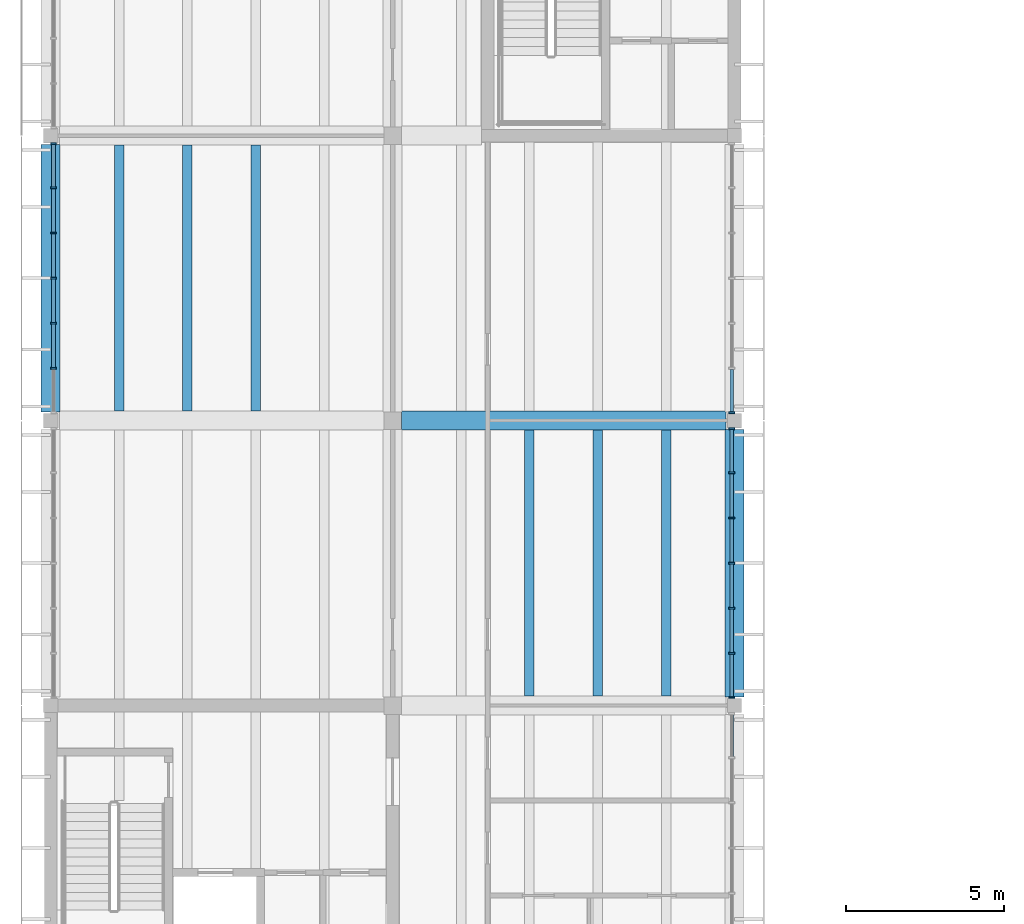
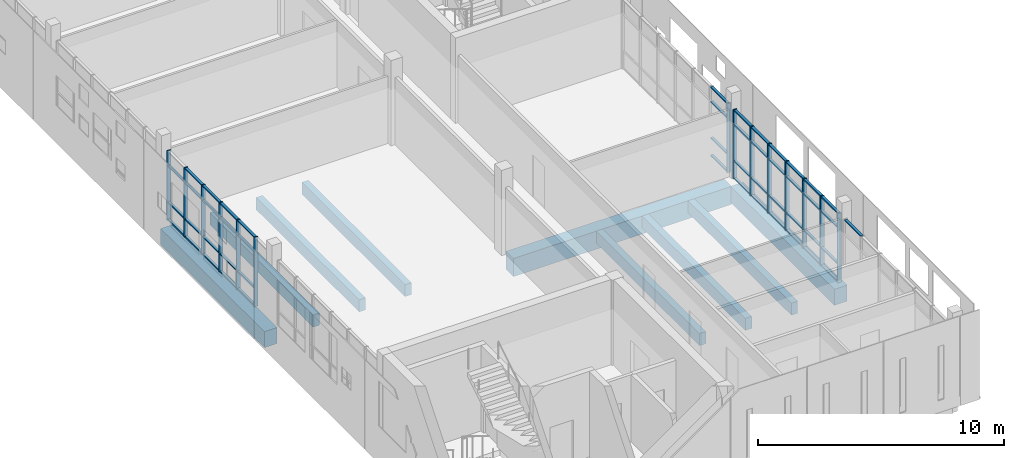
# One storey, part 10 of 50: 62 members, 9 beams, 4 elements without a shape of their own.
"""IFC4 building model written with IfcOpenShell, lengths in metres."""

import ifcopenshell
import ifcopenshell.guid

model = None  # the IFC model being written
_history = None  # IfcOwnerHistory: only IFC2X3 demands one
_inside = {}  # id of a spatial element -> (the spatial element, [elements in it])
_under = {}  # id of a project, library or spatial element -> (it, [spatial elements below it])
_declared = {}  # id of a project -> (the project, [libraries it declares])
_typed = {}  # id of a type object -> (the type object, [elements of that type])
_made_of = {}  # id of a material, layer set ... -> (it, [elements and type objects made of it])


def new_model(schema):
    """Start an empty IFC model of exactly this schema.

    Asked for "IFC4X3", IfcOpenShell would pick the latest addendum, in which some entities
    have other attributes; the version numbers below select the first issue.
    IFC2X3 requires an IfcOwnerHistory on every rooted entity: one is made here for all.
    """
    global model, _history
    if schema == "IFC4X3":
        model = ifcopenshell.file(schema_version=(4, 3, 0, 0))
    else:
        model = ifcopenshell.file(schema=schema)
    _inside.clear()
    _under.clear()
    _declared.clear()
    _typed.clear()
    _made_of.clear()
    _history = None
    if model.schema == "IFC2X3":
        org = make("IfcOrganization", Name="unknown")
        user = make(
            "IfcPersonAndOrganization",
            ThePerson=make("IfcPerson", FamilyName="unknown"),
            TheOrganization=org,
        )
        app = make(
            "IfcApplication",
            ApplicationDeveloper=org,
            Version="unknown",
            ApplicationFullName="unknown",
            ApplicationIdentifier="unknown",
        )
        _history = make(
            "IfcOwnerHistory",
            OwningUser=user,
            OwningApplication=app,
            ChangeAction="ADDED",
            CreationDate=0,
        )
    return model


def make(cls, **values):
    """One entity of the class cls with the attributes given. An attribute that is None is left unset."""
    return model.create_entity(
        cls, **{name: value for name, value in values.items() if value is not None}
    )


def rooted(cls, **values):
    """An entity with a GlobalId (a new one), such as an element, a storey or a relation."""
    return make(cls, GlobalId=ifcopenshell.guid.new(), OwnerHistory=_history, **values)


def si_unit(unit_type, name, prefix=None):
    """IfcSIUnit, for example si_unit("LENGTHUNIT", "METRE", prefix="MILLI")."""
    return make("IfcSIUnit", UnitType=unit_type, Prefix=prefix, Name=name)


def assignment(units):
    """IfcUnitAssignment: the units of a project."""
    return None if units is None else make("IfcUnitAssignment", Units=units)


def point(xyz):
    """IfcCartesianPoint."""
    return None if xyz is None else make("IfcCartesianPoint", Coordinates=xyz)


def direction(xyz):
    """IfcDirection."""
    return None if xyz is None else make("IfcDirection", DirectionRatios=xyz)


def frame(location, z_axis=None, x_axis=None):
    """IfcAxis2Placement3D, a coordinate frame: its origin and axes. An axis left out is left unset."""
    return make(
        "IfcAxis2Placement3D",
        Location=point(location),
        Axis=direction(z_axis),
        RefDirection=direction(x_axis),
    )


def frame_2d(location, x_axis=None):
    """IfcAxis2Placement2D, a coordinate frame in the plane: its origin and x axis."""
    return make(
        "IfcAxis2Placement2D", Location=point(location), RefDirection=direction(x_axis)
    )


def origin():
    """The frame at (0, 0, 0) with its axes left unset."""
    return frame((0.0, 0.0, 0.0))


def origin_2d():
    """The frame at (0, 0) in the plane with its x axis left unset."""
    return frame_2d((0.0, 0.0))


def place(relative_to, where):
    """IfcLocalPlacement: puts the frame where relative to a parent placement (None: the world)."""
    return make(
        "IfcLocalPlacement", PlacementRelTo=relative_to, RelativePlacement=where
    )


def context(
    kind, dimensions, precision=None, world=None, true_north=None, identifier=None
):
    """IfcGeometricRepresentationContext, for example the 3D "Model" context."""
    return make(
        "IfcGeometricRepresentationContext",
        ContextIdentifier=identifier,
        ContextType=kind,
        CoordinateSpaceDimension=dimensions,
        Precision=precision,
        WorldCoordinateSystem=world,
        TrueNorth=true_north,
    )


def subcontext(parent, identifier, kind, view, scale=None):
    """IfcGeometricRepresentationSubContext, for example "Body" below "Model"."""
    return make(
        "IfcGeometricRepresentationSubContext",
        ContextIdentifier=identifier,
        ContextType=kind,
        ParentContext=parent,
        TargetScale=scale,
        TargetView=view,
    )


def project(units=None, contexts=None):
    """IfcProject with its units and contexts."""
    return rooted(
        "IfcProject",
        Name="project",
        RepresentationContexts=contexts,
        UnitsInContext=assignment(units),
    )


def spatial(cls, under=None, at=None, **own):
    """A site, building, storey or space (cls), placed at a placement, below another one or the project."""
    s = rooted(cls, ObjectPlacement=at, **own)
    if under is not None:
        _under.setdefault(under.id(), (under, []))[1].append(s)
    return s


def profile(cls, at=None, kind="AREA", **sizes):
    """A parametric profile (cls). Its sizes go by their IFC names, for example OverallWidth=200.0."""
    return make(cls, ProfileType=kind, Position=at, **sizes)


def rectangle(**sizes):
    """IfcRectangleProfileDef."""
    return profile("IfcRectangleProfileDef", **sizes)


def extrude(swept, where, along, depth):
    """IfcExtrudedAreaSolid: the profile swept, set in the frame where, extruded along a direction by depth."""
    return make(
        "IfcExtrudedAreaSolid",
        SweptArea=swept,
        Position=where,
        ExtrudedDirection=direction(along),
        Depth=depth,
    )


def shape(context_of_items, identifier, shape_type, items):
    """IfcShapeRepresentation: the items that make up one representation, for example the "Body"."""
    return make(
        "IfcShapeRepresentation",
        ContextOfItems=context_of_items,
        RepresentationIdentifier=identifier,
        RepresentationType=shape_type,
        Items=items,
    )


def material(Name=None, Category=None):
    """IfcMaterial."""
    return make("IfcMaterial", Name=Name, Category=Category)


def material_profile(
    of_material, cross_section, Name=None, Category=None, Priority=None
):
    """IfcMaterialProfile: a cross section and its material."""
    return make(
        "IfcMaterialProfile",
        Name=Name,
        Material=of_material,
        Profile=cross_section,
        Priority=Priority,
        Category=Category,
    )


def profile_set(profiles, Name=None, composite=None):
    """IfcMaterialProfileSet."""
    return make(
        "IfcMaterialProfileSet",
        Name=Name,
        MaterialProfiles=profiles,
        CompositeProfile=composite,
    )


def made_of(thing, what):
    """Note that an element or type object is made of a material, layer set ...; save() writes the relation."""
    if what is not None:
        _made_of.setdefault(what.id(), (what, []))[1].append(thing)
    return thing


def type_object(cls, material=None, **own):
    """A type object (cls), such as IfcWallType, which elements share."""
    return made_of(rooted(cls, **own), material)


def element(
    cls,
    number,
    at=None,
    inside=None,
    cuts=None,
    type_object=None,
    material=None,
    context=None,
    identifier="Body",
    shape_type=None,
    held_by="IfcProductDefinitionShape",
    body=None,
    shapes=None,
    **own,
):
    """One element of the class cls, such as IfcWall. Its Tag is "e" and its number.

    at: its placement. inside: the storey or other place that contains it. cuts: it is an
    opening in that element (IfcRelVoidsElement). A single representation is given by context,
    identifier, shape_type and body (its items); several are given by shapes. held_by: the class
    of the entity that holds the representations. save() writes the other relations.
    """
    e = rooted(cls, Tag="e%d" % number, ObjectPlacement=at, **own)
    if body is not None:
        shapes = [shape(context, identifier, shape_type, body)]
    if shapes is not None:
        e.Representation = make(held_by, Representations=shapes)
    if inside is not None:
        _inside.setdefault(inside.id(), (inside, []))[1].append(e)
    if cuts is not None:
        rooted(
            "IfcRelVoidsElement", RelatingBuildingElement=cuts, RelatedOpeningElement=e
        )
    if type_object is not None:
        _typed.setdefault(type_object.id(), (type_object, []))[1].append(e)
    return made_of(e, material)


def aggregate(whole, parts):
    """IfcRelAggregates: a whole, such as a stair, and the parts it consists of."""
    return rooted("IfcRelAggregates", RelatingObject=whole, RelatedObjects=parts)


def save(model, path):
    """Write the relations noted so far, then the file.

    IfcRelAggregates (storeys below a building ...), IfcRelContainedInSpatialStructure (elements
    in a storey), IfcRelDefinesByType, IfcRelAssociatesMaterial and IfcRelDeclares: one each for
    every whole, place, type object, material and project.
    """
    for whole, parts in _under.values():
        aggregate(whole, parts)
    for where, things in _inside.values():
        rooted(
            "IfcRelContainedInSpatialStructure",
            RelatedElements=things,
            RelatingStructure=where,
        )
    for kind, things in _typed.values():
        rooted("IfcRelDefinesByType", RelatedObjects=things, RelatingType=kind)
    for what, things in _made_of.values():
        rooted("IfcRelAssociatesMaterial", RelatedObjects=things, RelatingMaterial=what)
    for by, libraries in _declared.values():
        rooted("IfcRelDeclares", RelatingContext=by, RelatedDefinitions=libraries)
    model.write(path)


model = new_model("IFC4")

# Units and contexts
model_context = context("Model", 3, precision=1e-05, world=origin(), true_north=direction((0.0, 1.0)))
body_context = subcontext(model_context, "Body", "Model", "MODEL_VIEW")
ifc_project = project(units=[si_unit("LENGTHUNIT", "METRE"), si_unit("AREAUNIT", "SQUARE_METRE"), si_unit("VOLUMEUNIT", "CUBIC_METRE"), si_unit("PLANEANGLEUNIT", "RADIAN"), si_unit("MASSUNIT", "GRAM", prefix="KILO")], contexts=[model_context])

# Site, building, storey
site_placement = place(None, origin())
site = spatial("IfcSite", under=ifc_project, at=site_placement, CompositionType="ELEMENT")
building_placement = place(site_placement, origin())
building = spatial("IfcBuilding", under=site, at=building_placement, Name="Merrow Basin Faculty of Sciences", CompositionType="ELEMENT")
storey_placement = place(building_placement, frame((0.0, 0.0, 18.0)))
storey = spatial("IfcBuildingStorey", under=building, at=storey_placement, Name="L04", CompositionType="ELEMENT", Elevation=18.0)

# Curtain wall, members
ifc_material_1 = material(Name="Aluminium alloy 6063", Category="aluminium")
curtain_wall_type = type_object("IfcCurtainWallType", Name="Bar unitised curtain wall 180", PredefinedType="NOTDEFINED", material=ifc_material_1)
curtain_wall_1_placement = place(storey_placement, origin())
curtain_wall_1 = element("IfcCurtainWall", 1, at=curtain_wall_1_placement, inside=storey, type_object=curtain_wall_type, Name="West curtain wall L04 2", PredefinedType="NOTDEFINED")
ifc_material_2 = material(Name="Aluminium alloy 6063", Category="aluminium")
ifc_material_profile_1 = material_profile(ifc_material_2, rectangle(XDim=0.179931640625, YDim=0.06005859375, at=origin_2d()))
ifc_profile_set_1 = profile_set([ifc_material_profile_1], Name="Aluminium alloy 6063")
member_type_1 = type_object("IfcMemberType", Name="Aluminium mullion 60x180", PredefinedType="MULLION", material=ifc_profile_set_1)
member_1_placement = place(storey_placement, frame((0.090087890625, 80.64990234375, 0.0), z_axis=(0.0, 0.0, 1.0), x_axis=(-1.0, 0.0, 0.0)))
member_1 = element("IfcMember", 2, at=member_1_placement, type_object=member_type_1, Name="CW1 mullion 2", PredefinedType="MULLION", context=body_context, shape_type="SweptSolid", body=[
    extrude(rectangle(XDim=0.179931640625, YDim=0.06005859375, at=origin_2d()), origin(), (0.0, 0.0, 1.0), 3.449951171875),
])
member_2_placement = place(storey_placement, frame((0.090087890625, 82.074951171875, 0.0), z_axis=(0.0, 0.0, 1.0), x_axis=(-1.0, 0.0, 0.0)))
member_2 = element("IfcMember", 3, at=member_2_placement, type_object=member_type_1, Name="CW1 mullion 3", PredefinedType="MULLION", context=body_context, shape_type="SweptSolid", body=[
    extrude(rectangle(XDim=0.179931640625, YDim=0.06005859375, at=origin_2d()), origin(), (0.0, 0.0, 1.0), 3.449951171875),
])
member_3_placement = place(storey_placement, frame((0.090087890625, 83.5, 0.0), z_axis=(0.0, 0.0, 1.0), x_axis=(-1.0, 0.0, 0.0)))
member_3 = element("IfcMember", 4, at=member_3_placement, type_object=member_type_1, Name="CW1 mullion 4", PredefinedType="MULLION", context=body_context, shape_type="SweptSolid", body=[
    extrude(rectangle(XDim=0.179931640625, YDim=0.06005859375, at=origin_2d()), origin(), (0.0, 0.0, 1.0), 3.449951171875),
])
member_4_placement = place(storey_placement, frame((0.090087890625, 84.925048828125, 0.0), z_axis=(0.0, 0.0, 1.0), x_axis=(-1.0, 0.0, 0.0)))
member_4 = element("IfcMember", 5, at=member_4_placement, type_object=member_type_1, Name="CW1 mullion 5", PredefinedType="MULLION", context=body_context, shape_type="SweptSolid", body=[
    extrude(rectangle(XDim=0.179931640625, YDim=0.06005859375, at=origin_2d()), origin(), (0.0, 0.0, 1.0), 3.449951171875),
])
member_5_placement = place(storey_placement, frame((0.090087890625, 86.35009765625, 0.0), z_axis=(0.0, 0.0, 1.0), x_axis=(-1.0, 0.0, 0.0)))
member_5 = element("IfcMember", 6, at=member_5_placement, type_object=member_type_1, Name="CW1 mullion 6", PredefinedType="MULLION", context=body_context, shape_type="SweptSolid", body=[
    extrude(rectangle(XDim=0.179931640625, YDim=0.06005859375, at=origin_2d()), origin(), (0.0, 0.0, 1.0), 3.449951171875),
])
member_6_placement = place(storey_placement, frame((0.090087890625, 87.7451171875, 0.0), z_axis=(0.0, 0.0, 1.0), x_axis=(-1.0, 0.0, 0.0)))
member_6 = element("IfcMember", 7, at=member_6_placement, type_object=member_type_1, Name="CW1 mullion 7", PredefinedType="MULLION", context=body_context, shape_type="SweptSolid", body=[
    extrude(rectangle(XDim=0.179931640625, YDim=0.06005859375, at=origin_2d()), origin(), (0.0, 0.0, 1.0), 3.449951171875),
])

curtain_wall_2_placement = place(storey_placement, origin())
curtain_wall_2 = element("IfcCurtainWall", 8, at=curtain_wall_2_placement, inside=storey, type_object=curtain_wall_type, Name="East curtain wall L04 2", PredefinedType="NOTDEFINED")
member_7_placement = place(storey_placement, frame((21.510009765625, 70.2548828125, 0.0), z_axis=(0.0, 0.0, 1.0), x_axis=(-1.0, 0.0, 0.0)))
member_7 = element("IfcMember", 9, at=member_7_placement, type_object=member_type_1, Name="CW1 mullion 1", PredefinedType="MULLION", context=body_context, shape_type="SweptSolid", body=[
    extrude(rectangle(XDim=0.179931640625, YDim=0.06005859375, at=origin_2d()), origin(), (0.0, 0.0, 1.0), 3.449951171875),
])
member_8_placement = place(storey_placement, frame((21.510009765625, 71.64990234375, 0.0), z_axis=(0.0, 0.0, 1.0), x_axis=(-1.0, 0.0, 0.0)))
member_8 = element("IfcMember", 10, at=member_8_placement, type_object=member_type_1, Name="CW1 mullion 2", PredefinedType="MULLION", context=body_context, shape_type="SweptSolid", body=[
    extrude(rectangle(XDim=0.179931640625, YDim=0.06005859375, at=origin_2d()), origin(), (0.0, 0.0, 1.0), 3.449951171875),
])
member_9_placement = place(storey_placement, frame((21.510009765625, 73.074951171875, 0.0), z_axis=(0.0, 0.0, 1.0), x_axis=(-1.0, 0.0, 0.0)))
member_9 = element("IfcMember", 11, at=member_9_placement, type_object=member_type_1, Name="CW1 mullion 3", PredefinedType="MULLION", context=body_context, shape_type="SweptSolid", body=[
    extrude(rectangle(XDim=0.179931640625, YDim=0.06005859375, at=origin_2d()), origin(), (0.0, 0.0, 1.0), 3.449951171875),
])
member_10_placement = place(storey_placement, frame((21.510009765625, 74.5, 0.0), z_axis=(0.0, 0.0, 1.0), x_axis=(-1.0, 0.0, 0.0)))
member_10 = element("IfcMember", 12, at=member_10_placement, type_object=member_type_1, Name="CW1 mullion 4", PredefinedType="MULLION", context=body_context, shape_type="SweptSolid", body=[
    extrude(rectangle(XDim=0.179931640625, YDim=0.06005859375, at=origin_2d()), origin(), (0.0, 0.0, 1.0), 3.449951171875),
])
member_11_placement = place(storey_placement, frame((21.510009765625, 75.925048828125, 0.0), z_axis=(0.0, 0.0, 1.0), x_axis=(-1.0, 0.0, 0.0)))
member_11 = element("IfcMember", 13, at=member_11_placement, type_object=member_type_1, Name="CW1 mullion 5", PredefinedType="MULLION", context=body_context, shape_type="SweptSolid", body=[
    extrude(rectangle(XDim=0.179931640625, YDim=0.06005859375, at=origin_2d()), origin(), (0.0, 0.0, 1.0), 3.449951171875),
])
member_12_placement = place(storey_placement, frame((21.510009765625, 77.35009765625, 0.0), z_axis=(0.0, 0.0, 1.0), x_axis=(-1.0, 0.0, 0.0)))
member_12 = element("IfcMember", 14, at=member_12_placement, type_object=member_type_1, Name="CW1 mullion 6", PredefinedType="MULLION", context=body_context, shape_type="SweptSolid", body=[
    extrude(rectangle(XDim=0.179931640625, YDim=0.06005859375, at=origin_2d()), origin(), (0.0, 0.0, 1.0), 3.449951171875),
])
member_13_placement = place(storey_placement, frame((21.510009765625, 78.7451171875, 0.0), z_axis=(0.0, 0.0, 1.0), x_axis=(-1.0, 0.0, 0.0)))
member_13 = element("IfcMember", 15, at=member_13_placement, type_object=member_type_1, Name="CW1 mullion 7", PredefinedType="MULLION", context=body_context, shape_type="SweptSolid", body=[
    extrude(rectangle(XDim=0.179931640625, YDim=0.06005859375, at=origin_2d()), origin(), (0.0, 0.0, 1.0), 3.449951171875),
])

# Curtain wall, member
curtain_wall_3_placement = place(storey_placement, origin())
curtain_wall_3 = element("IfcCurtainWall", 16, at=curtain_wall_3_placement, inside=storey, type_object=curtain_wall_type, Name="East curtain wall L04 3", PredefinedType="NOTDEFINED")
member_14_placement = place(storey_placement, frame((21.510009765625, 79.2548828125, 0.0), z_axis=(0.0, 0.0, 1.0), x_axis=(-1.0, 0.0, 0.0)))
member_14 = element("IfcMember", 17, at=member_14_placement, type_object=member_type_1, Name="CW1 mullion 1", PredefinedType="MULLION", context=body_context, shape_type="SweptSolid", body=[
    extrude(rectangle(XDim=0.179931640625, YDim=0.06005859375, at=origin_2d()), origin(), (0.0, 0.0, 1.0), 3.449951171875),
])

# Member
ifc_material_3 = material(Name="Aluminium alloy 6063", Category="aluminium")
ifc_material_profile_2 = material_profile(ifc_material_3, rectangle(XDim=0.1201171875, YDim=0.06005859375, at=origin_2d()))
ifc_profile_set_2 = profile_set([ifc_material_profile_2], Name="Aluminium alloy 6063")
member_type_2 = type_object("IfcMemberType", Name="Aluminium transom 60x120", PredefinedType="USERDEFINED", material=ifc_profile_set_2)
member_15_placement = place(storey_placement, frame((0.090087890625, 80.679931640625, 0.030029296875), z_axis=(0.0, 1.0, 0.0), x_axis=(-1.0, 0.0, 0.0)))
member_15 = element("IfcMember", 18, at=member_15_placement, type_object=member_type_2, Name="CW1 transom 2.1", ObjectType="TRANSOM", PredefinedType="USERDEFINED", context=body_context, shape_type="SweptSolid", body=[
    extrude(rectangle(XDim=0.1201171875, YDim=0.06005859375, at=origin_2d()), origin(), (0.0, 0.0, 1.0), 1.364990234375),
])

member_16_placement = place(storey_placement, frame((0.090087890625, 80.679931640625, 0.89990234375), z_axis=(0.0, 1.0, 0.0), x_axis=(-1.0, 0.0, 0.0)))
member_16 = element("IfcMember", 19, at=member_16_placement, type_object=member_type_2, Name="CW1 transom 2.2", ObjectType="TRANSOM", PredefinedType="USERDEFINED", context=body_context, shape_type="SweptSolid", body=[
    extrude(rectangle(XDim=0.1201171875, YDim=0.06005859375, at=origin_2d()), origin(), (0.0, 0.0, 1.0), 1.364990234375),
])

member_17_placement = place(storey_placement, frame((0.090087890625, 80.679931640625, 2.699951171875), z_axis=(0.0, 1.0, 0.0), x_axis=(-1.0, 0.0, 0.0)))
member_17 = element("IfcMember", 20, at=member_17_placement, type_object=member_type_2, Name="CW1 transom 2.3", ObjectType="TRANSOM", PredefinedType="USERDEFINED", context=body_context, shape_type="SweptSolid", body=[
    extrude(rectangle(XDim=0.1201171875, YDim=0.06005859375, at=origin_2d()), origin(), (0.0, 0.0, 1.0), 1.364990234375),
])

member_18_placement = place(storey_placement, frame((0.090087890625, 80.679931640625, 3.419921875), z_axis=(0.0, 1.0, 0.0), x_axis=(-1.0, 0.0, 0.0)))
member_18 = element("IfcMember", 21, at=member_18_placement, type_object=member_type_2, Name="CW1 transom 2.4", ObjectType="TRANSOM", PredefinedType="USERDEFINED", context=body_context, shape_type="SweptSolid", body=[
    extrude(rectangle(XDim=0.1201171875, YDim=0.06005859375, at=origin_2d()), origin(), (0.0, 0.0, 1.0), 1.364990234375),
])

member_19_placement = place(storey_placement, frame((0.090087890625, 82.10498046875, 0.030029296875), z_axis=(0.0, 1.0, 0.0), x_axis=(-1.0, 0.0, 0.0)))
member_19 = element("IfcMember", 22, at=member_19_placement, type_object=member_type_2, Name="CW1 transom 3.1", ObjectType="TRANSOM", PredefinedType="USERDEFINED", context=body_context, shape_type="SweptSolid", body=[
    extrude(rectangle(XDim=0.1201171875, YDim=0.06005859375, at=origin_2d()), origin(), (0.0, 0.0, 1.0), 1.364990234375),
])

member_20_placement = place(storey_placement, frame((0.090087890625, 82.10498046875, 0.89990234375), z_axis=(0.0, 1.0, 0.0), x_axis=(-1.0, 0.0, 0.0)))
member_20 = element("IfcMember", 23, at=member_20_placement, type_object=member_type_2, Name="CW1 transom 3.2", ObjectType="TRANSOM", PredefinedType="USERDEFINED", context=body_context, shape_type="SweptSolid", body=[
    extrude(rectangle(XDim=0.1201171875, YDim=0.06005859375, at=origin_2d()), origin(), (0.0, 0.0, 1.0), 1.364990234375),
])

member_21_placement = place(storey_placement, frame((0.090087890625, 82.10498046875, 2.699951171875), z_axis=(0.0, 1.0, 0.0), x_axis=(-1.0, 0.0, 0.0)))
member_21 = element("IfcMember", 24, at=member_21_placement, type_object=member_type_2, Name="CW1 transom 3.3", ObjectType="TRANSOM", PredefinedType="USERDEFINED", context=body_context, shape_type="SweptSolid", body=[
    extrude(rectangle(XDim=0.1201171875, YDim=0.06005859375, at=origin_2d()), origin(), (0.0, 0.0, 1.0), 1.364990234375),
])

member_22_placement = place(storey_placement, frame((0.090087890625, 82.10498046875, 3.419921875), z_axis=(0.0, 1.0, 0.0), x_axis=(-1.0, 0.0, 0.0)))
member_22 = element("IfcMember", 25, at=member_22_placement, type_object=member_type_2, Name="CW1 transom 3.4", ObjectType="TRANSOM", PredefinedType="USERDEFINED", context=body_context, shape_type="SweptSolid", body=[
    extrude(rectangle(XDim=0.1201171875, YDim=0.06005859375, at=origin_2d()), origin(), (0.0, 0.0, 1.0), 1.364990234375),
])

member_23_placement = place(storey_placement, frame((0.090087890625, 83.530029296875, 0.030029296875), z_axis=(0.0, 1.0, 0.0), x_axis=(-1.0, 0.0, 0.0)))
member_23 = element("IfcMember", 26, at=member_23_placement, type_object=member_type_2, Name="CW1 transom 4.1", ObjectType="TRANSOM", PredefinedType="USERDEFINED", context=body_context, shape_type="SweptSolid", body=[
    extrude(rectangle(XDim=0.1201171875, YDim=0.06005859375, at=origin_2d()), origin(), (0.0, 0.0, 1.0), 1.364990234375),
])

member_24_placement = place(storey_placement, frame((0.090087890625, 83.530029296875, 0.89990234375), z_axis=(0.0, 1.0, 0.0), x_axis=(-1.0, 0.0, 0.0)))
member_24 = element("IfcMember", 27, at=member_24_placement, type_object=member_type_2, Name="CW1 transom 4.2", ObjectType="TRANSOM", PredefinedType="USERDEFINED", context=body_context, shape_type="SweptSolid", body=[
    extrude(rectangle(XDim=0.1201171875, YDim=0.06005859375, at=origin_2d()), origin(), (0.0, 0.0, 1.0), 1.364990234375),
])

member_25_placement = place(storey_placement, frame((0.090087890625, 83.530029296875, 2.699951171875), z_axis=(0.0, 1.0, 0.0), x_axis=(-1.0, 0.0, 0.0)))
member_25 = element("IfcMember", 28, at=member_25_placement, type_object=member_type_2, Name="CW1 transom 4.3", ObjectType="TRANSOM", PredefinedType="USERDEFINED", context=body_context, shape_type="SweptSolid", body=[
    extrude(rectangle(XDim=0.1201171875, YDim=0.06005859375, at=origin_2d()), origin(), (0.0, 0.0, 1.0), 1.364990234375),
])

member_26_placement = place(storey_placement, frame((0.090087890625, 83.530029296875, 3.419921875), z_axis=(0.0, 1.0, 0.0), x_axis=(-1.0, 0.0, 0.0)))
member_26 = element("IfcMember", 29, at=member_26_placement, type_object=member_type_2, Name="CW1 transom 4.4", ObjectType="TRANSOM", PredefinedType="USERDEFINED", context=body_context, shape_type="SweptSolid", body=[
    extrude(rectangle(XDim=0.1201171875, YDim=0.06005859375, at=origin_2d()), origin(), (0.0, 0.0, 1.0), 1.364990234375),
])

member_27_placement = place(storey_placement, frame((0.090087890625, 84.955078125, 0.030029296875), z_axis=(0.0, 1.0, 0.0), x_axis=(-1.0, 0.0, 0.0)))
member_27 = element("IfcMember", 30, at=member_27_placement, type_object=member_type_2, Name="CW1 transom 5.1", ObjectType="TRANSOM", PredefinedType="USERDEFINED", context=body_context, shape_type="SweptSolid", body=[
    extrude(rectangle(XDim=0.1201171875, YDim=0.06005859375, at=origin_2d()), origin(), (0.0, 0.0, 1.0), 1.364990234375),
])

member_28_placement = place(storey_placement, frame((0.090087890625, 84.955078125, 0.89990234375), z_axis=(0.0, 1.0, 0.0), x_axis=(-1.0, 0.0, 0.0)))
member_28 = element("IfcMember", 31, at=member_28_placement, type_object=member_type_2, Name="CW1 transom 5.2", ObjectType="TRANSOM", PredefinedType="USERDEFINED", context=body_context, shape_type="SweptSolid", body=[
    extrude(rectangle(XDim=0.1201171875, YDim=0.06005859375, at=origin_2d()), origin(), (0.0, 0.0, 1.0), 1.364990234375),
])

member_29_placement = place(storey_placement, frame((0.090087890625, 84.955078125, 2.699951171875), z_axis=(0.0, 1.0, 0.0), x_axis=(-1.0, 0.0, 0.0)))
member_29 = element("IfcMember", 32, at=member_29_placement, type_object=member_type_2, Name="CW1 transom 5.3", ObjectType="TRANSOM", PredefinedType="USERDEFINED", context=body_context, shape_type="SweptSolid", body=[
    extrude(rectangle(XDim=0.1201171875, YDim=0.06005859375, at=origin_2d()), origin(), (0.0, 0.0, 1.0), 1.364990234375),
])

member_30_placement = place(storey_placement, frame((0.090087890625, 84.955078125, 3.419921875), z_axis=(0.0, 1.0, 0.0), x_axis=(-1.0, 0.0, 0.0)))
member_30 = element("IfcMember", 33, at=member_30_placement, type_object=member_type_2, Name="CW1 transom 5.4", ObjectType="TRANSOM", PredefinedType="USERDEFINED", context=body_context, shape_type="SweptSolid", body=[
    extrude(rectangle(XDim=0.1201171875, YDim=0.06005859375, at=origin_2d()), origin(), (0.0, 0.0, 1.0), 1.364990234375),
])

member_31_placement = place(storey_placement, frame((0.090087890625, 86.3798828125, 0.030029296875), z_axis=(0.0, 1.0, 0.0), x_axis=(-1.0, 0.0, 0.0)))
member_31 = element("IfcMember", 34, at=member_31_placement, type_object=member_type_2, Name="CW1 transom 6.1", ObjectType="TRANSOM", PredefinedType="USERDEFINED", context=body_context, shape_type="SweptSolid", body=[
    extrude(rectangle(XDim=0.1201171875, YDim=0.06005859375, at=origin_2d()), origin(), (0.0, 0.0, 1.0), 1.335205078125),
])

member_32_placement = place(storey_placement, frame((0.090087890625, 86.3798828125, 0.89990234375), z_axis=(0.0, 1.0, 0.0), x_axis=(-1.0, 0.0, 0.0)))
member_32 = element("IfcMember", 35, at=member_32_placement, type_object=member_type_2, Name="CW1 transom 6.2", ObjectType="TRANSOM", PredefinedType="USERDEFINED", context=body_context, shape_type="SweptSolid", body=[
    extrude(rectangle(XDim=0.1201171875, YDim=0.06005859375, at=origin_2d()), origin(), (0.0, 0.0, 1.0), 1.335205078125),
])

member_33_placement = place(storey_placement, frame((0.090087890625, 86.3798828125, 2.699951171875), z_axis=(0.0, 1.0, 0.0), x_axis=(-1.0, 0.0, 0.0)))
member_33 = element("IfcMember", 36, at=member_33_placement, type_object=member_type_2, Name="CW1 transom 6.3", ObjectType="TRANSOM", PredefinedType="USERDEFINED", context=body_context, shape_type="SweptSolid", body=[
    extrude(rectangle(XDim=0.1201171875, YDim=0.06005859375, at=origin_2d()), origin(), (0.0, 0.0, 1.0), 1.335205078125),
])

aggregate(curtain_wall_1, [member_1, member_2, member_3, member_4, member_5, member_6, member_15, member_16, member_17, member_18, member_19, member_20, member_21, member_22, member_23, member_24, member_25, member_26, member_27, member_28, member_29, member_30, member_31, member_32, member_33])

# Curtain wall, member
curtain_wall_4_placement = place(storey_placement, origin())
curtain_wall_4 = element("IfcCurtainWall", 37, at=curtain_wall_4_placement, inside=storey, type_object=curtain_wall_type, Name="East curtain wall L04 1", PredefinedType="NOTDEFINED")
member_34_placement = place(storey_placement, frame((21.510009765625, 68.3798828125, 3.419921875), z_axis=(0.0, 1.0, 0.0), x_axis=(-1.0, 0.0, 0.0)))
member_34 = element("IfcMember", 38, at=member_34_placement, type_object=member_type_2, Name="CW1 transom 6.4", ObjectType="TRANSOM", PredefinedType="USERDEFINED", context=body_context, shape_type="SweptSolid", body=[
    extrude(rectangle(XDim=0.1201171875, YDim=0.06005859375, at=origin_2d()), origin(), (0.0, 0.0, 1.0), 1.335205078125),
])
aggregate(curtain_wall_4, [member_34])

# Member
member_35_placement = place(storey_placement, frame((21.510009765625, 70.284912109375, 0.030029296875), z_axis=(0.0, 1.0, 0.0), x_axis=(-1.0, 0.0, 0.0)))
member_35 = element("IfcMember", 39, at=member_35_placement, type_object=member_type_2, Name="CW1 transom 1.1", ObjectType="TRANSOM", PredefinedType="USERDEFINED", context=body_context, shape_type="SweptSolid", body=[
    extrude(rectangle(XDim=0.1201171875, YDim=0.06005859375, at=origin_2d()), origin(), (0.0, 0.0, 1.0), 1.335205078125),
])

member_36_placement = place(storey_placement, frame((21.510009765625, 70.284912109375, 0.89990234375), z_axis=(0.0, 1.0, 0.0), x_axis=(-1.0, 0.0, 0.0)))
member_36 = element("IfcMember", 40, at=member_36_placement, type_object=member_type_2, Name="CW1 transom 1.2", ObjectType="TRANSOM", PredefinedType="USERDEFINED", context=body_context, shape_type="SweptSolid", body=[
    extrude(rectangle(XDim=0.1201171875, YDim=0.06005859375, at=origin_2d()), origin(), (0.0, 0.0, 1.0), 1.335205078125),
])

member_37_placement = place(storey_placement, frame((21.510009765625, 70.284912109375, 2.699951171875), z_axis=(0.0, 1.0, 0.0), x_axis=(-1.0, 0.0, 0.0)))
member_37 = element("IfcMember", 41, at=member_37_placement, type_object=member_type_2, Name="CW1 transom 1.3", ObjectType="TRANSOM", PredefinedType="USERDEFINED", context=body_context, shape_type="SweptSolid", body=[
    extrude(rectangle(XDim=0.1201171875, YDim=0.06005859375, at=origin_2d()), origin(), (0.0, 0.0, 1.0), 1.335205078125),
])

member_38_placement = place(storey_placement, frame((21.510009765625, 70.284912109375, 3.419921875), z_axis=(0.0, 1.0, 0.0), x_axis=(-1.0, 0.0, 0.0)))
member_38 = element("IfcMember", 42, at=member_38_placement, type_object=member_type_2, Name="CW1 transom 1.4", ObjectType="TRANSOM", PredefinedType="USERDEFINED", context=body_context, shape_type="SweptSolid", body=[
    extrude(rectangle(XDim=0.1201171875, YDim=0.06005859375, at=origin_2d()), origin(), (0.0, 0.0, 1.0), 1.335205078125),
])

member_39_placement = place(storey_placement, frame((21.510009765625, 71.679931640625, 0.030029296875), z_axis=(0.0, 1.0, 0.0), x_axis=(-1.0, 0.0, 0.0)))
member_39 = element("IfcMember", 43, at=member_39_placement, type_object=member_type_2, Name="CW1 transom 2.1", ObjectType="TRANSOM", PredefinedType="USERDEFINED", context=body_context, shape_type="SweptSolid", body=[
    extrude(rectangle(XDim=0.1201171875, YDim=0.06005859375, at=origin_2d()), origin(), (0.0, 0.0, 1.0), 1.364990234375),
])

member_40_placement = place(storey_placement, frame((21.510009765625, 71.679931640625, 0.89990234375), z_axis=(0.0, 1.0, 0.0), x_axis=(-1.0, 0.0, 0.0)))
member_40 = element("IfcMember", 44, at=member_40_placement, type_object=member_type_2, Name="CW1 transom 2.2", ObjectType="TRANSOM", PredefinedType="USERDEFINED", context=body_context, shape_type="SweptSolid", body=[
    extrude(rectangle(XDim=0.1201171875, YDim=0.06005859375, at=origin_2d()), origin(), (0.0, 0.0, 1.0), 1.364990234375),
])

member_41_placement = place(storey_placement, frame((21.510009765625, 71.679931640625, 2.699951171875), z_axis=(0.0, 1.0, 0.0), x_axis=(-1.0, 0.0, 0.0)))
member_41 = element("IfcMember", 45, at=member_41_placement, type_object=member_type_2, Name="CW1 transom 2.3", ObjectType="TRANSOM", PredefinedType="USERDEFINED", context=body_context, shape_type="SweptSolid", body=[
    extrude(rectangle(XDim=0.1201171875, YDim=0.06005859375, at=origin_2d()), origin(), (0.0, 0.0, 1.0), 1.364990234375),
])

member_42_placement = place(storey_placement, frame((21.510009765625, 71.679931640625, 3.419921875), z_axis=(0.0, 1.0, 0.0), x_axis=(-1.0, 0.0, 0.0)))
member_42 = element("IfcMember", 46, at=member_42_placement, type_object=member_type_2, Name="CW1 transom 2.4", ObjectType="TRANSOM", PredefinedType="USERDEFINED", context=body_context, shape_type="SweptSolid", body=[
    extrude(rectangle(XDim=0.1201171875, YDim=0.06005859375, at=origin_2d()), origin(), (0.0, 0.0, 1.0), 1.364990234375),
])

member_43_placement = place(storey_placement, frame((21.510009765625, 73.10498046875, 0.030029296875), z_axis=(0.0, 1.0, 0.0), x_axis=(-1.0, 0.0, 0.0)))
member_43 = element("IfcMember", 47, at=member_43_placement, type_object=member_type_2, Name="CW1 transom 3.1", ObjectType="TRANSOM", PredefinedType="USERDEFINED", context=body_context, shape_type="SweptSolid", body=[
    extrude(rectangle(XDim=0.1201171875, YDim=0.06005859375, at=origin_2d()), origin(), (0.0, 0.0, 1.0), 1.364990234375),
])

member_44_placement = place(storey_placement, frame((21.510009765625, 73.10498046875, 0.89990234375), z_axis=(0.0, 1.0, 0.0), x_axis=(-1.0, 0.0, 0.0)))
member_44 = element("IfcMember", 48, at=member_44_placement, type_object=member_type_2, Name="CW1 transom 3.2", ObjectType="TRANSOM", PredefinedType="USERDEFINED", context=body_context, shape_type="SweptSolid", body=[
    extrude(rectangle(XDim=0.1201171875, YDim=0.06005859375, at=origin_2d()), origin(), (0.0, 0.0, 1.0), 1.364990234375),
])

member_45_placement = place(storey_placement, frame((21.510009765625, 73.10498046875, 2.699951171875), z_axis=(0.0, 1.0, 0.0), x_axis=(-1.0, 0.0, 0.0)))
member_45 = element("IfcMember", 49, at=member_45_placement, type_object=member_type_2, Name="CW1 transom 3.3", ObjectType="TRANSOM", PredefinedType="USERDEFINED", context=body_context, shape_type="SweptSolid", body=[
    extrude(rectangle(XDim=0.1201171875, YDim=0.06005859375, at=origin_2d()), origin(), (0.0, 0.0, 1.0), 1.364990234375),
])

member_46_placement = place(storey_placement, frame((21.510009765625, 73.10498046875, 3.419921875), z_axis=(0.0, 1.0, 0.0), x_axis=(-1.0, 0.0, 0.0)))
member_46 = element("IfcMember", 50, at=member_46_placement, type_object=member_type_2, Name="CW1 transom 3.4", ObjectType="TRANSOM", PredefinedType="USERDEFINED", context=body_context, shape_type="SweptSolid", body=[
    extrude(rectangle(XDim=0.1201171875, YDim=0.06005859375, at=origin_2d()), origin(), (0.0, 0.0, 1.0), 1.364990234375),
])

member_47_placement = place(storey_placement, frame((21.510009765625, 74.530029296875, 0.030029296875), z_axis=(0.0, 1.0, 0.0), x_axis=(-1.0, 0.0, 0.0)))
member_47 = element("IfcMember", 51, at=member_47_placement, type_object=member_type_2, Name="CW1 transom 4.1", ObjectType="TRANSOM", PredefinedType="USERDEFINED", context=body_context, shape_type="SweptSolid", body=[
    extrude(rectangle(XDim=0.1201171875, YDim=0.06005859375, at=origin_2d()), origin(), (0.0, 0.0, 1.0), 1.364990234375),
])

member_48_placement = place(storey_placement, frame((21.510009765625, 74.530029296875, 0.89990234375), z_axis=(0.0, 1.0, 0.0), x_axis=(-1.0, 0.0, 0.0)))
member_48 = element("IfcMember", 52, at=member_48_placement, type_object=member_type_2, Name="CW1 transom 4.2", ObjectType="TRANSOM", PredefinedType="USERDEFINED", context=body_context, shape_type="SweptSolid", body=[
    extrude(rectangle(XDim=0.1201171875, YDim=0.06005859375, at=origin_2d()), origin(), (0.0, 0.0, 1.0), 1.364990234375),
])

member_49_placement = place(storey_placement, frame((21.510009765625, 74.530029296875, 2.699951171875), z_axis=(0.0, 1.0, 0.0), x_axis=(-1.0, 0.0, 0.0)))
member_49 = element("IfcMember", 53, at=member_49_placement, type_object=member_type_2, Name="CW1 transom 4.3", ObjectType="TRANSOM", PredefinedType="USERDEFINED", context=body_context, shape_type="SweptSolid", body=[
    extrude(rectangle(XDim=0.1201171875, YDim=0.06005859375, at=origin_2d()), origin(), (0.0, 0.0, 1.0), 1.364990234375),
])

member_50_placement = place(storey_placement, frame((21.510009765625, 74.530029296875, 3.419921875), z_axis=(0.0, 1.0, 0.0), x_axis=(-1.0, 0.0, 0.0)))
member_50 = element("IfcMember", 54, at=member_50_placement, type_object=member_type_2, Name="CW1 transom 4.4", ObjectType="TRANSOM", PredefinedType="USERDEFINED", context=body_context, shape_type="SweptSolid", body=[
    extrude(rectangle(XDim=0.1201171875, YDim=0.06005859375, at=origin_2d()), origin(), (0.0, 0.0, 1.0), 1.364990234375),
])

member_51_placement = place(storey_placement, frame((21.510009765625, 75.955078125, 0.030029296875), z_axis=(0.0, 1.0, 0.0), x_axis=(-1.0, 0.0, 0.0)))
member_51 = element("IfcMember", 55, at=member_51_placement, type_object=member_type_2, Name="CW1 transom 5.1", ObjectType="TRANSOM", PredefinedType="USERDEFINED", context=body_context, shape_type="SweptSolid", body=[
    extrude(rectangle(XDim=0.1201171875, YDim=0.06005859375, at=origin_2d()), origin(), (0.0, 0.0, 1.0), 1.364990234375),
])

member_52_placement = place(storey_placement, frame((21.510009765625, 75.955078125, 0.89990234375), z_axis=(0.0, 1.0, 0.0), x_axis=(-1.0, 0.0, 0.0)))
member_52 = element("IfcMember", 56, at=member_52_placement, type_object=member_type_2, Name="CW1 transom 5.2", ObjectType="TRANSOM", PredefinedType="USERDEFINED", context=body_context, shape_type="SweptSolid", body=[
    extrude(rectangle(XDim=0.1201171875, YDim=0.06005859375, at=origin_2d()), origin(), (0.0, 0.0, 1.0), 1.364990234375),
])

member_53_placement = place(storey_placement, frame((21.510009765625, 75.955078125, 2.699951171875), z_axis=(0.0, 1.0, 0.0), x_axis=(-1.0, 0.0, 0.0)))
member_53 = element("IfcMember", 57, at=member_53_placement, type_object=member_type_2, Name="CW1 transom 5.3", ObjectType="TRANSOM", PredefinedType="USERDEFINED", context=body_context, shape_type="SweptSolid", body=[
    extrude(rectangle(XDim=0.1201171875, YDim=0.06005859375, at=origin_2d()), origin(), (0.0, 0.0, 1.0), 1.364990234375),
])

member_54_placement = place(storey_placement, frame((21.510009765625, 75.955078125, 3.419921875), z_axis=(0.0, 1.0, 0.0), x_axis=(-1.0, 0.0, 0.0)))
member_54 = element("IfcMember", 58, at=member_54_placement, type_object=member_type_2, Name="CW1 transom 5.4", ObjectType="TRANSOM", PredefinedType="USERDEFINED", context=body_context, shape_type="SweptSolid", body=[
    extrude(rectangle(XDim=0.1201171875, YDim=0.06005859375, at=origin_2d()), origin(), (0.0, 0.0, 1.0), 1.364990234375),
])

member_55_placement = place(storey_placement, frame((21.510009765625, 77.3798828125, 0.030029296875), z_axis=(0.0, 1.0, 0.0), x_axis=(-1.0, 0.0, 0.0)))
member_55 = element("IfcMember", 59, at=member_55_placement, type_object=member_type_2, Name="CW1 transom 6.1", ObjectType="TRANSOM", PredefinedType="USERDEFINED", context=body_context, shape_type="SweptSolid", body=[
    extrude(rectangle(XDim=0.1201171875, YDim=0.06005859375, at=origin_2d()), origin(), (0.0, 0.0, 1.0), 1.335205078125),
])

member_56_placement = place(storey_placement, frame((21.510009765625, 77.3798828125, 0.89990234375), z_axis=(0.0, 1.0, 0.0), x_axis=(-1.0, 0.0, 0.0)))
member_56 = element("IfcMember", 60, at=member_56_placement, type_object=member_type_2, Name="CW1 transom 6.2", ObjectType="TRANSOM", PredefinedType="USERDEFINED", context=body_context, shape_type="SweptSolid", body=[
    extrude(rectangle(XDim=0.1201171875, YDim=0.06005859375, at=origin_2d()), origin(), (0.0, 0.0, 1.0), 1.335205078125),
])

member_57_placement = place(storey_placement, frame((21.510009765625, 77.3798828125, 2.699951171875), z_axis=(0.0, 1.0, 0.0), x_axis=(-1.0, 0.0, 0.0)))
member_57 = element("IfcMember", 61, at=member_57_placement, type_object=member_type_2, Name="CW1 transom 6.3", ObjectType="TRANSOM", PredefinedType="USERDEFINED", context=body_context, shape_type="SweptSolid", body=[
    extrude(rectangle(XDim=0.1201171875, YDim=0.06005859375, at=origin_2d()), origin(), (0.0, 0.0, 1.0), 1.335205078125),
])

member_58_placement = place(storey_placement, frame((21.510009765625, 77.3798828125, 3.419921875), z_axis=(0.0, 1.0, 0.0), x_axis=(-1.0, 0.0, 0.0)))
member_58 = element("IfcMember", 62, at=member_58_placement, type_object=member_type_2, Name="CW1 transom 6.4", ObjectType="TRANSOM", PredefinedType="USERDEFINED", context=body_context, shape_type="SweptSolid", body=[
    extrude(rectangle(XDim=0.1201171875, YDim=0.06005859375, at=origin_2d()), origin(), (0.0, 0.0, 1.0), 1.335205078125),
])

aggregate(curtain_wall_2, [member_7, member_8, member_9, member_10, member_11, member_12, member_13, member_35, member_36, member_37, member_38, member_39, member_40, member_41, member_42, member_43, member_44, member_45, member_46, member_47, member_48, member_49, member_50, member_51, member_52, member_53, member_54, member_55, member_56, member_57, member_58])

member_59_placement = place(storey_placement, frame((21.510009765625, 79.284912109375, 0.030029296875), z_axis=(0.0, 1.0, 0.0), x_axis=(-1.0, 0.0, 0.0)))
member_59 = element("IfcMember", 63, at=member_59_placement, type_object=member_type_2, Name="CW1 transom 1.1", ObjectType="TRANSOM", PredefinedType="USERDEFINED", context=body_context, shape_type="SweptSolid", body=[
    extrude(rectangle(XDim=0.1201171875, YDim=0.06005859375, at=origin_2d()), origin(), (0.0, 0.0, 1.0), 1.335205078125),
])

member_60_placement = place(storey_placement, frame((21.510009765625, 79.284912109375, 0.89990234375), z_axis=(0.0, 1.0, 0.0), x_axis=(-1.0, 0.0, 0.0)))
member_60 = element("IfcMember", 64, at=member_60_placement, type_object=member_type_2, Name="CW1 transom 1.2", ObjectType="TRANSOM", PredefinedType="USERDEFINED", context=body_context, shape_type="SweptSolid", body=[
    extrude(rectangle(XDim=0.1201171875, YDim=0.06005859375, at=origin_2d()), origin(), (0.0, 0.0, 1.0), 1.335205078125),
])

member_61_placement = place(storey_placement, frame((21.510009765625, 79.284912109375, 2.699951171875), z_axis=(0.0, 1.0, 0.0), x_axis=(-1.0, 0.0, 0.0)))
member_61 = element("IfcMember", 65, at=member_61_placement, type_object=member_type_2, Name="CW1 transom 1.3", ObjectType="TRANSOM", PredefinedType="USERDEFINED", context=body_context, shape_type="SweptSolid", body=[
    extrude(rectangle(XDim=0.1201171875, YDim=0.06005859375, at=origin_2d()), origin(), (0.0, 0.0, 1.0), 1.335205078125),
])

member_62_placement = place(storey_placement, frame((21.510009765625, 79.284912109375, 3.419921875), z_axis=(0.0, 1.0, 0.0), x_axis=(-1.0, 0.0, 0.0)))
member_62 = element("IfcMember", 66, at=member_62_placement, type_object=member_type_2, Name="CW1 transom 1.4", ObjectType="TRANSOM", PredefinedType="USERDEFINED", context=body_context, shape_type="SweptSolid", body=[
    extrude(rectangle(XDim=0.1201171875, YDim=0.06005859375, at=origin_2d()), origin(), (0.0, 0.0, 1.0), 1.335205078125),
])

aggregate(curtain_wall_3, [member_14, member_59, member_60, member_61, member_62])

# Beams
ifc_material_4 = material(Name="Concrete C40/50", Category="concrete")
ifc_material_profile_3 = material_profile(ifc_material_4, rectangle(XDim=0.60009765625, YDim=0.800048828125, at=origin_2d()))
ifc_profile_set_3 = profile_set([ifc_material_profile_3], Name="Concrete C40/50")
beam_type_1 = type_object("IfcBeamType", Name="Beam RC600x800 C40/50", PredefinedType="BEAM", material=ifc_profile_set_3)
for number, where, z_axis, x_axis, name in (
    (67, (0.0, 79.27490234375, -0.699951171875), (0.0, 1.0, 0.0), (-1.0, 0.0, 0.0), "B2 L04 016"),
    (68, (21.60009765625, 70.27490234375, -0.699951171875), (0.0, 1.0, 0.0), (-1.0, 0.0, 0.0), "B2 L04 029"),
):
    element("IfcBeam", number, at=place(storey_placement, frame(where, z_axis=z_axis, x_axis=x_axis)), inside=storey, type_object=beam_type_1, Name=name, PredefinedType="BEAM", context=body_context, shape_type="SweptSolid", body=[
        extrude(rectangle(XDim=0.60009765625, YDim=0.800048828125, at=origin_2d()), origin(), (0.0, 0.0, 1.0), 8.4501953125),
    ])
ifc_material_5 = material(Name="Concrete C40/50", Category="concrete")
ifc_material_profile_4 = material_profile(ifc_material_5, rectangle(XDim=0.60009765625, YDim=0.89990234375, at=origin_2d()))
ifc_profile_set_4 = profile_set([ifc_material_profile_4], Name="Concrete C40/50")
beam_type_2 = type_object("IfcBeamType", Name="Beam RC600x900 C40/50", PredefinedType="BEAM", material=ifc_profile_set_4)
beam_placement = place(storey_placement, frame((11.074951171875, 79.0, -0.75), z_axis=(1.0, 0.0, 0.0), x_axis=(0.0, 1.0, 0.0)))
element("IfcBeam", 69, at=beam_placement, inside=storey, type_object=beam_type_2, Name="B1 L04 004", PredefinedType="BEAM", context=body_context, shape_type="SweptSolid", body=[
    extrude(rectangle(XDim=0.60009765625, YDim=0.89990234375, at=origin_2d()), origin(), (0.0, 0.0, 1.0), 10.25),
])
ifc_material_6 = material(Name="Concrete C40/50", Category="concrete")
ifc_material_profile_5 = material_profile(ifc_material_6, rectangle(XDim=0.300048828125, YDim=0.60009765625, at=origin_2d()))
ifc_profile_set_5 = profile_set([ifc_material_profile_5], Name="Concrete C40/50")
beam_type_3 = type_object("IfcBeamType", Name="Laboratory floor joist RC300x600 C40/50", PredefinedType="BEAM", material=ifc_profile_set_5)
for number, where, z_axis, x_axis, name in (
    (70, (2.159912109375, 79.300048828125, -0.60009765625), (0.0, 1.0, 0.0), (-1.0, 0.0, 0.0), "JL1 L04 043"),
    (71, (4.320068359375, 79.300048828125, -0.60009765625), (0.0, 1.0, 0.0), (-1.0, 0.0, 0.0), "JL1 L04 044"),
    (72, (6.47998046875, 79.300048828125, -0.60009765625), (0.0, 1.0, 0.0), (-1.0, 0.0, 0.0), "JL1 L04 045"),
    (73, (15.1201171875, 70.300048828125, -0.60009765625), (0.0, 1.0, 0.0), (-1.0, 0.0, 0.0), "JL1 L04 072"),
    (74, (17.280029296875, 70.300048828125, -0.60009765625), (0.0, 1.0, 0.0), (-1.0, 0.0, 0.0), "JL1 L04 073"),
    (75, (19.43994140625, 70.300048828125, -0.60009765625), (0.0, 1.0, 0.0), (-1.0, 0.0, 0.0), "JL1 L04 074"),
):
    element("IfcBeam", number, at=place(storey_placement, frame(where, z_axis=z_axis, x_axis=x_axis)), inside=storey, type_object=beam_type_3, Name=name, PredefinedType="BEAM", context=body_context, shape_type="SweptSolid", body=[
        extrude(rectangle(XDim=0.300048828125, YDim=0.60009765625, at=origin_2d()), origin(), (0.0, 0.0, 1.0), 8.39990234375),
    ])

save(model, "model.ifc")
